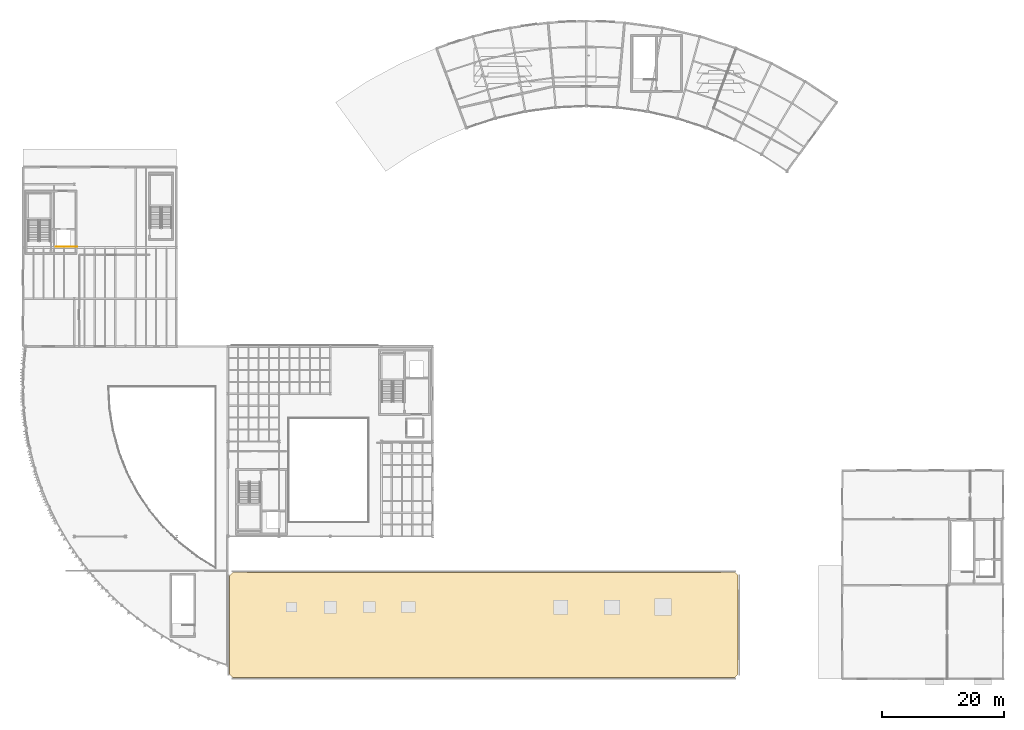
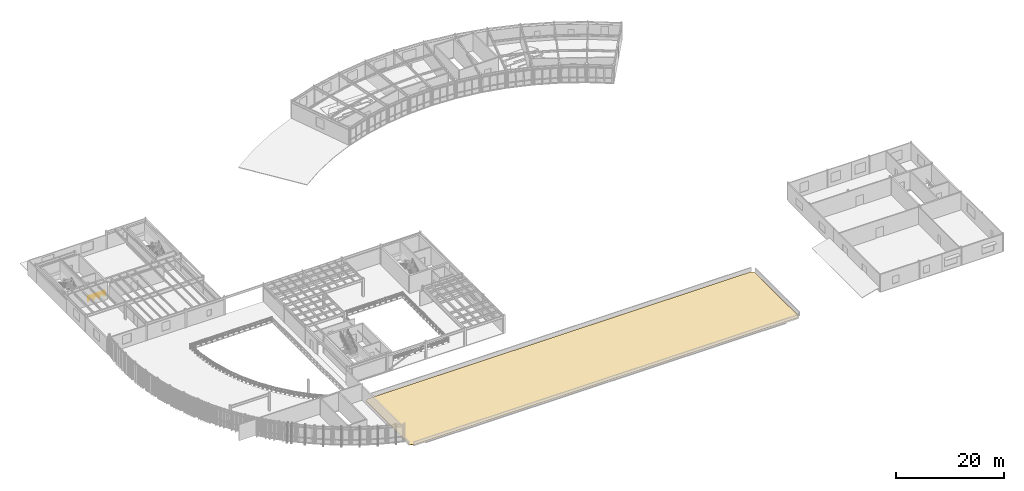
# One storey, part 52 of 54: 1 covering, 1 railing.
"""IFC4 building model written with IfcOpenShell, lengths in metres."""

import ifcopenshell
import ifcopenshell.guid

model = None  # the IFC model being written
_history = None  # IfcOwnerHistory: only IFC2X3 demands one
_inside = {}  # id of a spatial element -> (the spatial element, [elements in it])
_under = {}  # id of a project, library or spatial element -> (it, [spatial elements below it])
_declared = {}  # id of a project -> (the project, [libraries it declares])
_typed = {}  # id of a type object -> (the type object, [elements of that type])
_made_of = {}  # id of a material, layer set ... -> (it, [elements and type objects made of it])


def new_model(schema):
    """Start an empty IFC model of exactly this schema.

    Asked for "IFC4X3", IfcOpenShell would pick the latest addendum, in which some entities
    have other attributes; the version numbers below select the first issue.
    IFC2X3 requires an IfcOwnerHistory on every rooted entity: one is made here for all.
    """
    global model, _history
    if schema == "IFC4X3":
        model = ifcopenshell.file(schema_version=(4, 3, 0, 0))
    else:
        model = ifcopenshell.file(schema=schema)
    _inside.clear()
    _under.clear()
    _declared.clear()
    _typed.clear()
    _made_of.clear()
    _history = None
    if model.schema == "IFC2X3":
        org = make("IfcOrganization", Name="unknown")
        user = make(
            "IfcPersonAndOrganization",
            ThePerson=make("IfcPerson", FamilyName="unknown"),
            TheOrganization=org,
        )
        app = make(
            "IfcApplication",
            ApplicationDeveloper=org,
            Version="unknown",
            ApplicationFullName="unknown",
            ApplicationIdentifier="unknown",
        )
        _history = make(
            "IfcOwnerHistory",
            OwningUser=user,
            OwningApplication=app,
            ChangeAction="ADDED",
            CreationDate=0,
        )
    return model


def make(cls, **values):
    """One entity of the class cls with the attributes given. An attribute that is None is left unset."""
    return model.create_entity(
        cls, **{name: value for name, value in values.items() if value is not None}
    )


def rooted(cls, **values):
    """An entity with a GlobalId (a new one), such as an element, a storey or a relation."""
    return make(cls, GlobalId=ifcopenshell.guid.new(), OwnerHistory=_history, **values)


def si_unit(unit_type, name, prefix=None):
    """IfcSIUnit, for example si_unit("LENGTHUNIT", "METRE", prefix="MILLI")."""
    return make("IfcSIUnit", UnitType=unit_type, Prefix=prefix, Name=name)


def assignment(units):
    """IfcUnitAssignment: the units of a project."""
    return None if units is None else make("IfcUnitAssignment", Units=units)


def point(xyz):
    """IfcCartesianPoint."""
    return None if xyz is None else make("IfcCartesianPoint", Coordinates=xyz)


def direction(xyz):
    """IfcDirection."""
    return None if xyz is None else make("IfcDirection", DirectionRatios=xyz)


def frame(location, z_axis=None, x_axis=None):
    """IfcAxis2Placement3D, a coordinate frame: its origin and axes. An axis left out is left unset."""
    return make(
        "IfcAxis2Placement3D",
        Location=point(location),
        Axis=direction(z_axis),
        RefDirection=direction(x_axis),
    )


def frame_2d(location, x_axis=None):
    """IfcAxis2Placement2D, a coordinate frame in the plane: its origin and x axis."""
    return make(
        "IfcAxis2Placement2D", Location=point(location), RefDirection=direction(x_axis)
    )


def origin():
    """The frame at (0, 0, 0) with its axes left unset."""
    return frame((0.0, 0.0, 0.0))


def origin_2d():
    """The frame at (0, 0) in the plane with its x axis left unset."""
    return frame_2d((0.0, 0.0))


def place(relative_to, where):
    """IfcLocalPlacement: puts the frame where relative to a parent placement (None: the world)."""
    return make(
        "IfcLocalPlacement", PlacementRelTo=relative_to, RelativePlacement=where
    )


def context(
    kind, dimensions, precision=None, world=None, true_north=None, identifier=None
):
    """IfcGeometricRepresentationContext, for example the 3D "Model" context."""
    return make(
        "IfcGeometricRepresentationContext",
        ContextIdentifier=identifier,
        ContextType=kind,
        CoordinateSpaceDimension=dimensions,
        Precision=precision,
        WorldCoordinateSystem=world,
        TrueNorth=true_north,
    )


def subcontext(parent, identifier, kind, view, scale=None):
    """IfcGeometricRepresentationSubContext, for example "Body" below "Model"."""
    return make(
        "IfcGeometricRepresentationSubContext",
        ContextIdentifier=identifier,
        ContextType=kind,
        ParentContext=parent,
        TargetScale=scale,
        TargetView=view,
    )


def project(units=None, contexts=None):
    """IfcProject with its units and contexts."""
    return rooted(
        "IfcProject",
        Name="project",
        RepresentationContexts=contexts,
        UnitsInContext=assignment(units),
    )


def spatial(cls, under=None, at=None, **own):
    """A site, building, storey or space (cls), placed at a placement, below another one or the project."""
    s = rooted(cls, ObjectPlacement=at, **own)
    if under is not None:
        _under.setdefault(under.id(), (under, []))[1].append(s)
    return s


def polyline(points):
    """IfcPolyline through the points."""
    return make("IfcPolyline", Points=[point(p) for p in points])


def profile(cls, at=None, kind="AREA", **sizes):
    """A parametric profile (cls). Its sizes go by their IFC names, for example OverallWidth=200.0."""
    return make(cls, ProfileType=kind, Position=at, **sizes)


def circle(**sizes):
    """IfcCircleProfileDef."""
    return profile("IfcCircleProfileDef", **sizes)


def outline(outer, holes=None, kind="AREA"):
    """IfcArbitraryClosedProfileDef: a profile drawn as a closed curve; with holes, ...WithVoids."""
    if holes is None:
        return make("IfcArbitraryClosedProfileDef", ProfileType=kind, OuterCurve=outer)
    return make(
        "IfcArbitraryProfileDefWithVoids",
        ProfileType=kind,
        OuterCurve=outer,
        InnerCurves=holes,
    )


def extrude(swept, where, along, depth):
    """IfcExtrudedAreaSolid: the profile swept, set in the frame where, extruded along a direction by depth."""
    return make(
        "IfcExtrudedAreaSolid",
        SweptArea=swept,
        Position=where,
        ExtrudedDirection=direction(along),
        Depth=depth,
    )


def shape(context_of_items, identifier, shape_type, items):
    """IfcShapeRepresentation: the items that make up one representation, for example the "Body"."""
    return make(
        "IfcShapeRepresentation",
        ContextOfItems=context_of_items,
        RepresentationIdentifier=identifier,
        RepresentationType=shape_type,
        Items=items,
    )


def material(Name=None, Category=None):
    """IfcMaterial."""
    return make("IfcMaterial", Name=Name, Category=Category)


def layer(
    of_material, thickness, ventilated=None, Name=None, Category=None, Priority=None
):
    """IfcMaterialLayer: one layer of a wall or slab, of a material (None: an air gap)."""
    return make(
        "IfcMaterialLayer",
        Material=of_material,
        LayerThickness=thickness,
        IsVentilated=ventilated,
        Name=Name,
        Category=Category,
        Priority=Priority,
    )


def layer_set(layers, Name=None):
    """IfcMaterialLayerSet."""
    return make("IfcMaterialLayerSet", MaterialLayers=layers, LayerSetName=Name)


def made_of(thing, what):
    """Note that an element or type object is made of a material, layer set ...; save() writes the relation."""
    if what is not None:
        _made_of.setdefault(what.id(), (what, []))[1].append(thing)
    return thing


def type_object(cls, material=None, **own):
    """A type object (cls), such as IfcWallType, which elements share."""
    return made_of(rooted(cls, **own), material)


def element(
    cls,
    number,
    at=None,
    inside=None,
    cuts=None,
    type_object=None,
    material=None,
    context=None,
    identifier="Body",
    shape_type=None,
    held_by="IfcProductDefinitionShape",
    body=None,
    shapes=None,
    **own,
):
    """One element of the class cls, such as IfcWall. Its Tag is "e" and its number.

    at: its placement. inside: the storey or other place that contains it. cuts: it is an
    opening in that element (IfcRelVoidsElement). A single representation is given by context,
    identifier, shape_type and body (its items); several are given by shapes. held_by: the class
    of the entity that holds the representations. save() writes the other relations.
    """
    e = rooted(cls, Tag="e%d" % number, ObjectPlacement=at, **own)
    if body is not None:
        shapes = [shape(context, identifier, shape_type, body)]
    if shapes is not None:
        e.Representation = make(held_by, Representations=shapes)
    if inside is not None:
        _inside.setdefault(inside.id(), (inside, []))[1].append(e)
    if cuts is not None:
        rooted(
            "IfcRelVoidsElement", RelatingBuildingElement=cuts, RelatedOpeningElement=e
        )
    if type_object is not None:
        _typed.setdefault(type_object.id(), (type_object, []))[1].append(e)
    return made_of(e, material)


def aggregate(whole, parts):
    """IfcRelAggregates: a whole, such as a stair, and the parts it consists of."""
    return rooted("IfcRelAggregates", RelatingObject=whole, RelatedObjects=parts)


def save(model, path):
    """Write the relations noted so far, then the file.

    IfcRelAggregates (storeys below a building ...), IfcRelContainedInSpatialStructure (elements
    in a storey), IfcRelDefinesByType, IfcRelAssociatesMaterial and IfcRelDeclares: one each for
    every whole, place, type object, material and project.
    """
    for whole, parts in _under.values():
        aggregate(whole, parts)
    for where, things in _inside.values():
        rooted(
            "IfcRelContainedInSpatialStructure",
            RelatedElements=things,
            RelatingStructure=where,
        )
    for kind, things in _typed.values():
        rooted("IfcRelDefinesByType", RelatedObjects=things, RelatingType=kind)
    for what, things in _made_of.values():
        rooted("IfcRelAssociatesMaterial", RelatedObjects=things, RelatingMaterial=what)
    for by, libraries in _declared.values():
        rooted("IfcRelDeclares", RelatingContext=by, RelatedDefinitions=libraries)
    model.write(path)


model = new_model("IFC4")

# Units and contexts
model_context = context("Model", 3, precision=1e-05, world=origin(), true_north=direction((0.0, 1.0)))
body_context = subcontext(model_context, "Body", "Model", "MODEL_VIEW")
ifc_project = project(units=[si_unit("LENGTHUNIT", "METRE"), si_unit("AREAUNIT", "SQUARE_METRE"), si_unit("VOLUMEUNIT", "CUBIC_METRE"), si_unit("PLANEANGLEUNIT", "RADIAN"), si_unit("MASSUNIT", "GRAM", prefix="KILO")], contexts=[model_context])

# Site, building, storey
site_placement = place(None, origin())
site = spatial("IfcSite", under=ifc_project, at=site_placement, CompositionType="ELEMENT")
building_placement = place(site_placement, origin())
building = spatial("IfcBuilding", under=site, at=building_placement, Name="Selat Folded Stagehouse", CompositionType="ELEMENT")
storey_placement = place(building_placement, frame((0.0, 0.0, 15.0)))
storey = spatial("IfcBuildingStorey", under=building, at=storey_placement, Name="L03", CompositionType="ELEMENT", Elevation=15.0)

# Covering
ifc_material_1 = material(Name="Standing-seam aluminium and rigid insulation", Category="aluminium")
ifc_layer_1 = layer(ifc_material_1, 0.06494140625)
ifc_layer_set_1 = layer_set([ifc_layer_1], Name="Standing-seam aluminium and rigid insulation")
covering_type = type_object("IfcCoveringType", Name="COV-ROOF-65", PredefinedType="ROOFING", material=ifc_layer_set_1)
covering_placement = place(storey_placement, origin())
element("IfcCovering", 1, at=covering_placement, inside=storey, type_object=covering_type, Name="L03 standing-seam roof covering COV-RF-V5", PredefinedType="ROOFING", context=body_context, shape_type="SweptSolid", body=[
    extrude(outline(polyline([(34.39990234375, 0.300048828125), (116.800048828125, 0.300048828125), (117.300048828125, 0.800048828125), (117.300048828125, 17.0), (116.800048828125, 17.5), (34.39990234375, 17.5), (33.89990234375, 17.0), (33.89990234375, 0.800048828125), (34.39990234375, 0.300048828125)])), origin(), (0.0, 0.0, 1.0), 0.06494140625),
])

# Railing
ifc_material_2 = material(Name="Bronze-anodised steel balustrade", Category="steel")
ifc_layer_2 = layer(ifc_material_2, 0.06494140625)
ifc_layer_set_2 = layer_set([ifc_layer_2], Name="Bronze-anodised steel balustrade")
railing_type = type_object("IfcRailingType", Name="RLG-BAL-1120", PredefinedType="BALUSTRADE", material=ifc_layer_set_2)
railing_placement = place(storey_placement, frame((5.39990234375, 70.949951171875, 0.0)))
element("IfcRailing", 2, at=railing_placement, inside=storey, type_object=railing_type, Name="L03 CR-5 shaft rim guard", PredefinedType="BALUSTRADE", context=body_context, shape_type="SweptSolid", body=[
    extrude(circle(Radius=0.02392578125, at=origin_2d()), frame((0.0, 0.0, 1.09619140625), z_axis=(1.0, 0.0, 0.0), x_axis=(0.0, 1.0, 0.0)), (0.0, 0.0, 1.0), 3.4501953125),
    extrude(circle(Radius=0.02392578125, at=origin_2d()), frame((0.0, 0.0, 0.56005859375), z_axis=(1.0, 0.0, 0.0), x_axis=(0.0, 1.0, 0.0)), (0.0, 0.0, 1.0), 3.4501953125),
    extrude(circle(Radius=0.02099609375, at=origin_2d()), origin(), (0.0, 0.0, 1.0), 1.072021484375),
    extrude(circle(Radius=0.02099609375, at=origin_2d()), frame((1.150146484375, 0.0, 0.0)), (0.0, 0.0, 1.0), 1.072021484375),
    extrude(circle(Radius=0.02099609375, at=origin_2d()), frame((2.300048828125, 0.0, 0.0)), (0.0, 0.0, 1.0), 1.072021484375),
    extrude(circle(Radius=0.02099609375, at=origin_2d()), frame((3.4501953125, 0.0, 0.0)), (0.0, 0.0, 1.0), 1.072021484375),
])

save(model, "model.ifc")
